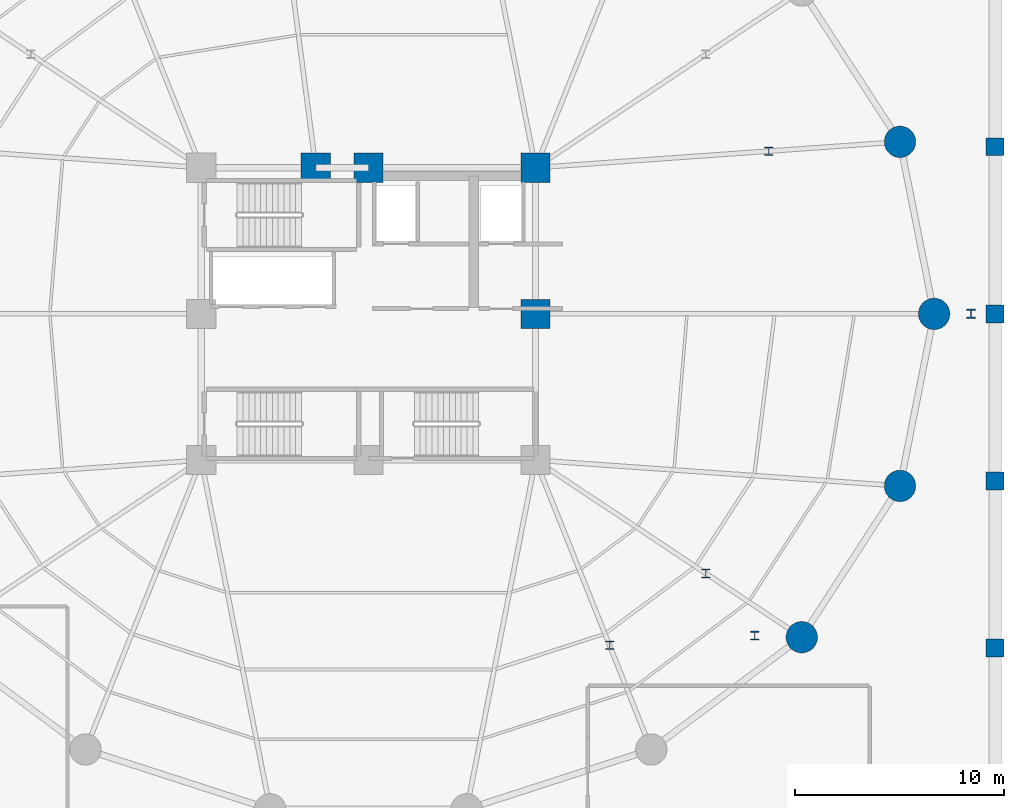
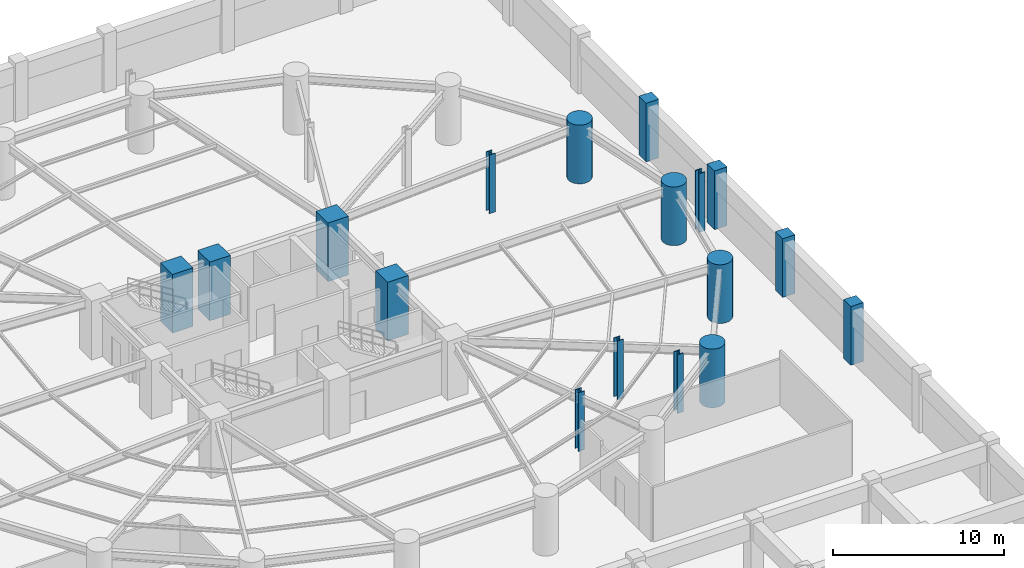
# One storey, part 2 of 20: 17 columns.
"""IFC4 building model written with IfcOpenShell, lengths in metres."""

from ifc_helpers import new_model, si_unit, direction, frame, origin, origin_2d, place, context, subcontext, project, spatial, rectangle, circle, i_section, extrude, material, material_profile, profile_set, type_object, element, save


model = new_model("IFC4")

# Units and contexts
model_context = context("Model", 3, precision=1e-05, world=origin(), true_north=direction((0.0, 1.0)))
body_context = subcontext(model_context, "Body", "Model", "MODEL_VIEW")
ifc_project = project(units=[si_unit("LENGTHUNIT", "METRE"), si_unit("AREAUNIT", "SQUARE_METRE"), si_unit("VOLUMEUNIT", "CUBIC_METRE"), si_unit("PLANEANGLEUNIT", "RADIAN"), si_unit("MASSUNIT", "GRAM", prefix="KILO")], contexts=[model_context])

# Site, building, storey
site_placement = place(None, origin())
site = spatial("IfcSite", under=ifc_project, at=site_placement, CompositionType="ELEMENT")
building_placement = place(site_placement, origin())
building = spatial("IfcBuilding", under=site, at=building_placement, Name="Kelanora Arch Commons", CompositionType="ELEMENT")
storey_placement = place(building_placement, frame((0.0, 0.0, -4.199951171875)))
storey = spatial("IfcBuildingStorey", under=building, at=storey_placement, Name="B01", CompositionType="ELEMENT", Elevation=-4.199951171875)

# Columns
ifc_material_1 = material(Name="Steel S355", Category="steel")
ifc_material_profile_1 = material_profile(ifc_material_1, i_section(OverallWidth=0.41796875, OverallDepth=0.455078125, WebThickness=0.0419921875, FlangeThickness=0.0673828125, FilletRadius=0.014892578125, at=origin_2d()), Name="HD400x551")
ifc_profile_set_1 = profile_set([ifc_material_profile_1], Name="Steel S355")
column_type_1 = type_object("IfcColumnType", Name="COL-ABUT", PredefinedType="COLUMN", material=ifc_profile_set_1)
column_placement = place(storey_placement, frame((102.85009765625, 58.0, 0.0), z_axis=(0.0, 0.0, 1.0), x_axis=(1.0, 0.0, 0.0)))
element("IfcColumn", 1, at=column_placement, inside=storey, type_object=column_type_1, Name="Giant Arch Abutment Thrust Column 1 B01", PredefinedType="COLUMN", context=body_context, shape_type="SweptSolid", body=[
    extrude(i_section(OverallWidth=0.41796875, OverallDepth=0.455078125, WebThickness=0.0419921875, FlangeThickness=0.0673828125, FilletRadius=0.014892578125, at=origin_2d()), origin(), (0.0, 0.0, 1.0), 4.199951171875),
])
ifc_material_2 = material(Name="Concrete C50/60", Category="concrete")
ifc_material_profile_2 = material_profile(ifc_material_2, rectangle(XDim=0.85009765625, YDim=0.85009765625, at=origin_2d()), Name="RC850x850")
ifc_profile_set_2 = profile_set([ifc_material_profile_2], Name="Concrete C50/60")
column_type_2 = type_object("IfcColumnType", Name="COL-BSMT", PredefinedType="COLUMN", material=ifc_profile_set_2)
for number, where, z_axis, x_axis, name in (
    (2, (104.0, 42.0, 0.0), (0.0, 0.0, 1.0), (1.0, 0.0, 0.0), "Basement Column 14-F B01"),
    (3, (104.0, 50.0, 0.0), (0.0, 0.0, 1.0), (1.0, 0.0, 0.0), "Basement Column 14-G B01"),
    (4, (104.0, 58.0, 0.0), (0.0, 0.0, 1.0), (1.0, 0.0, 0.0), "Basement Column 14-H B01"),
    (5, (104.0, 66.0, 0.0), (0.0, 0.0, 1.0), (1.0, 0.0, 0.0), "Basement Column 14-J B01"),
):
    element("IfcColumn", number, at=place(storey_placement, frame(where, z_axis=z_axis, x_axis=x_axis)), inside=storey, type_object=column_type_2, Name=name, PredefinedType="COLUMN", context=body_context, shape_type="SweptSolid", body=[
        extrude(rectangle(XDim=0.85009765625, YDim=0.85009765625, at=origin_2d()), origin(), (0.0, 0.0, 1.0), 4.199951171875),
    ])
ifc_material_3 = material(Name="Concrete C60/75", Category="concrete")
ifc_material_profile_3 = material_profile(ifc_material_3, circle(Radius=0.75, at=origin_2d()), Name="RCC1500")
ifc_profile_set_3 = profile_set([ifc_material_profile_3], Name="Concrete C60/75")
column_type_3 = type_object("IfcColumnType", Name="COL-PERIM-Z1", PredefinedType="COLUMN", material=ifc_profile_set_3)
for number, where, z_axis, x_axis, name in (
    (6, (101.080078125, 58.0, 0.0), (0.0, 0.0, 1.0), (1.0, 0.0, 0.0), "Perimeter Ring Column CP-00 B01"),
    (7, (99.447021484375, 66.23583984375, 0.0), (0.0, 0.0, 1.0), (1.0, 0.0, 0.0), "Perimeter Ring Column CP-02 B01"),
    (8, (94.744384765625, 42.521728515625, 0.0), (0.0, 0.0, 1.0), (1.0, 0.0, 0.0), "Perimeter Ring Column CP-32 B01"),
    (9, (99.447021484375, 49.76416015625, 0.0), (0.0, 0.0, 1.0), (1.0, 0.0, 0.0), "Perimeter Ring Column CP-34 B01"),
):
    element("IfcColumn", number, at=place(storey_placement, frame(where, z_axis=z_axis, x_axis=x_axis)), inside=storey, type_object=column_type_3, Name=name, PredefinedType="COLUMN", context=body_context, shape_type="SweptSolid", body=[
        extrude(circle(Radius=0.75, at=origin_2d()), origin(), (0.0, 0.0, 1.0), 4.199951171875),
    ])
ifc_material_profile_4 = material_profile(ifc_material_3, rectangle(XDim=1.39990234375, YDim=1.39990234375, at=origin_2d()), Name="RC1400x1400")
ifc_profile_set_4 = profile_set([ifc_material_profile_4], Name="Concrete C60/75")
column_type_4 = type_object("IfcColumnType", Name="COL-PIL-LOW", PredefinedType="PILASTER", material=ifc_profile_set_4)
for number, where, z_axis, x_axis, name in (
    (10, (82.0, 58.0, 0.0), (0.0, 0.0, 1.0), (1.0, 0.0, 0.0), "Core Pilaster Column CP4 B01"),
    (11, (82.0, 65.0, 0.0), (0.0, 0.0, 1.0), (1.0, 0.0, 0.0), "Core Pilaster Column CP5 B01"),
    (12, (74.0, 65.0, 0.0), (0.0, 0.0, 1.0), (1.0, 0.0, 0.0), "Core Pilaster Column CP6 B01"),
    (13, (71.47998046875, 65.0, 0.0), (0.0, 0.0, 1.0), (1.0, 0.0, 0.0), "Core Pilaster Column CP9 B01"),
):
    element("IfcColumn", number, at=place(storey_placement, frame(where, z_axis=z_axis, x_axis=x_axis)), inside=storey, type_object=column_type_4, Name=name, PredefinedType="PILASTER", context=body_context, shape_type="SweptSolid", body=[
        extrude(rectangle(XDim=1.39990234375, YDim=1.39990234375, at=origin_2d()), origin(), (0.0, 0.0, 1.0), 4.199951171875),
    ])
ifc_material_profile_5 = material_profile(ifc_material_1, i_section(OverallWidth=0.406005859375, OverallDepth=0.416015625, WebThickness=0.029052734375, FlangeThickness=0.048095703125, FilletRadius=0.014892578125, at=origin_2d()), Name="HD400x382")
ifc_profile_set_5 = profile_set([ifc_material_profile_5], Name="Steel S355")
column_type_5 = type_object("IfcColumnType", Name="COL-PORCH", PredefinedType="COLUMN", material=ifc_profile_set_5)
for number, where, z_axis, x_axis, name in (
    (14, (93.166015625, 65.791015625, 0.0), (0.0, 0.0, 1.0), (1.0, 0.0, 0.0), "Recessed Arch Portal Column CAP-02 B01"),
    (15, (85.545654296875, 42.133544921875, 0.0), (0.0, 0.0, 1.0), (1.0, 0.0, 0.0), "Recessed Courtyard Column CCC-30 B01"),
    (16, (90.156494140625, 45.573974609375, 0.0), (0.0, 0.0, 1.0), (1.0, 0.0, 0.0), "Recessed Courtyard Column CCC-32 B01"),
    (17, (92.5, 42.60009765625, 0.0), (0.0, 0.0, 1.0), (1.0, 0.0, 0.0), "Courtyard Pergola Column SE B01"),
):
    element("IfcColumn", number, at=place(storey_placement, frame(where, z_axis=z_axis, x_axis=x_axis)), inside=storey, type_object=column_type_5, Name=name, PredefinedType="COLUMN", context=body_context, shape_type="SweptSolid", body=[
        extrude(i_section(OverallWidth=0.406005859375, OverallDepth=0.416015625, WebThickness=0.029052734375, FlangeThickness=0.048095703125, FilletRadius=0.014892578125, at=origin_2d()), origin(), (0.0, 0.0, 1.0), 4.199951171875),
    ])

save(model, "model.ifc")
